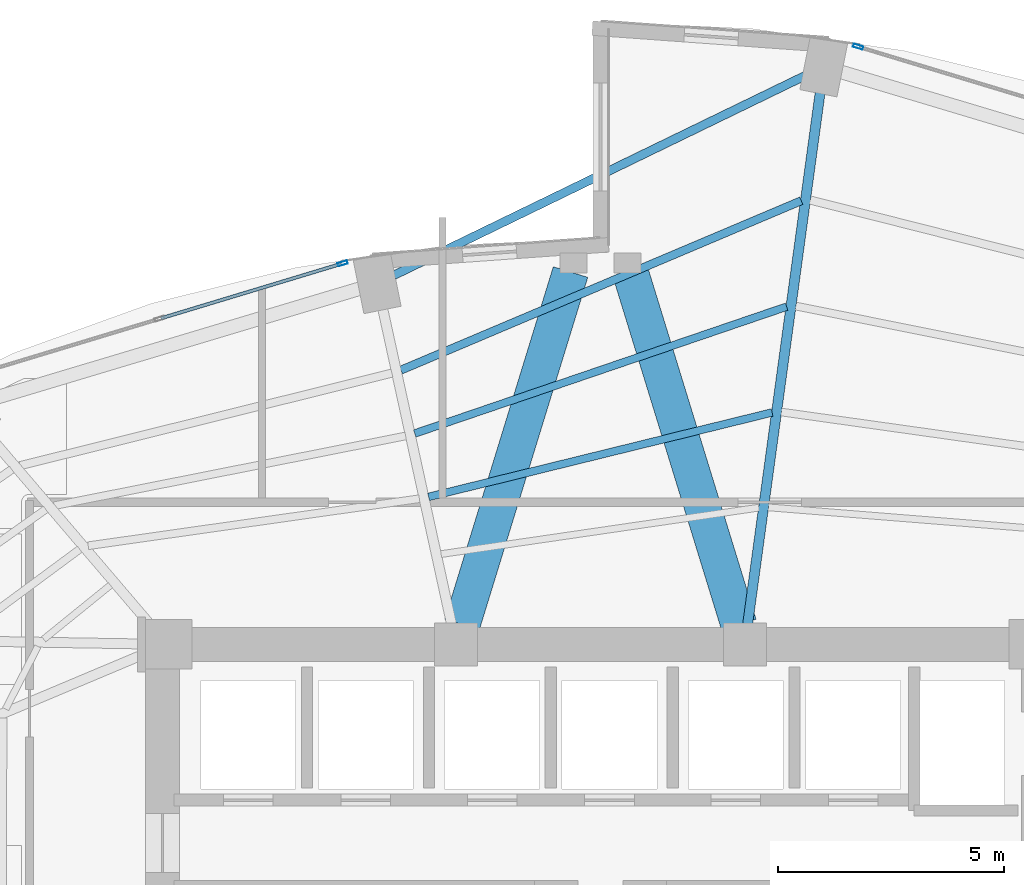
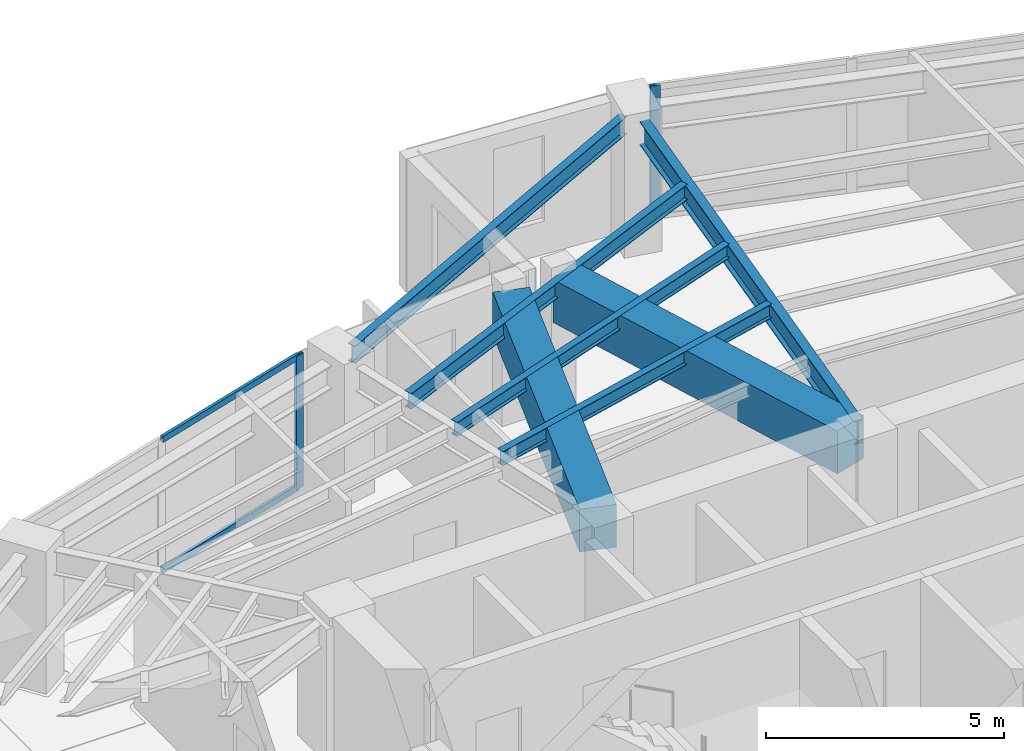
# One storey, part 15 of 23: 7 beams, 4 members, 2 elements without a shape of their own.
"""IFC4 building model written with IfcOpenShell, lengths in metres."""

from ifc_helpers import new_model, si_unit, direction, frame, origin, origin_2d, place, context, subcontext, project, spatial, rectangle, hollow_rectangle, i_section, extrude, material, layer, layer_set, material_profile, profile_set, type_object, element, aggregate, save


model = new_model("IFC4")

# Units and contexts
model_context = context("Model", 3, precision=1e-05, world=origin(), true_north=direction((0.0, 1.0)))
body_context = subcontext(model_context, "Body", "Model", "MODEL_VIEW")
ifc_project = project(units=[si_unit("LENGTHUNIT", "METRE"), si_unit("AREAUNIT", "SQUARE_METRE"), si_unit("VOLUMEUNIT", "CUBIC_METRE"), si_unit("PLANEANGLEUNIT", "RADIAN"), si_unit("MASSUNIT", "GRAM", prefix="KILO")], contexts=[model_context])

# Site, building, storey
site_placement = place(None, origin())
site = spatial("IfcSite", under=ifc_project, at=site_placement, CompositionType="ELEMENT")
building_placement = place(site_placement, origin())
building = spatial("IfcBuilding", under=site, at=building_placement, Name="Lazwardi Medical Tower", CompositionType="ELEMENT")
storey_placement = place(building_placement, frame((0.0, 0.0, 121.8720703125)))
storey = spatial("IfcBuildingStorey", under=building, at=storey_placement, Name="L31", CompositionType="ELEMENT", Elevation=121.8720703125)

# Beams
ifc_material_1 = material(Name="Concrete C70/85", Category="concrete")
ifc_material_profile_1 = material_profile(ifc_material_1, rectangle(XDim=0.800048828125, YDim=1.10009765625, at=origin_2d()), Name="RC 800x1100")
ifc_profile_set_1 = profile_set([ifc_material_profile_1], Name="Concrete C70/85")
beam_type_1 = type_object("IfcBeamType", Name="BM-CB-RC1", PredefinedType="LINTEL", material=ifc_profile_set_1)
for number, where, z_axis, x_axis, name in (
    (1, (32.935302734375, 36.039794921875, 2.8779296875), (0.294073251002, 0.955782884888, 0.0), (-0.955782884888, 0.294073251002, 0.0), "Core coupling lintel CB-01 PL1 L31"),
    (2, (39.064697265625, 36.039794921875, 2.8779296875), (-0.294073251002, 0.955782884888, 0.0), (-0.955782884888, -0.294073251002, 0.0), "Core coupling lintel CB-01 PL2 L31"),
):
    element("IfcBeam", number, at=place(storey_placement, frame(where, z_axis=z_axis, x_axis=x_axis)), inside=storey, type_object=beam_type_1, Name=name, PredefinedType="LINTEL", context=body_context, shape_type="SweptSolid", body=[
        extrude(rectangle(XDim=0.800048828125, YDim=1.10009765625, at=origin_2d()), origin(), (0.0, 0.0, 1.0), 8.1708984375),
    ])
ifc_material_2 = material(Name="Steel S355", Category="steel")
ifc_material_profile_2 = material_profile(ifc_material_2, i_section(OverallWidth=0.219970703125, OverallDepth=0.60009765625, WebThickness=0.011962890625, FlangeThickness=0.01904296875, at=origin_2d()), Name="IPE 600")
ifc_profile_set_2 = profile_set([ifc_material_profile_2], Name="Steel S355")
beam_type_2 = type_object("IfcBeamType", Name="BM-RG-W1", PredefinedType="BEAM", material=ifc_profile_set_2)
beam_1_placement = place(storey_placement, frame((40.8671875, 47.82275390625, 3.1279296875), z_axis=(-0.135147148002, -0.990825538825, 0.0), x_axis=(0.990825538825, -0.135147148002, 0.0)))
element("IfcBeam", 3, at=beam_1_placement, inside=storey, type_object=beam_type_2, Name="Radial girder RG-02 R08 L31", PredefinedType="BEAM", context=body_context, shape_type="SweptSolid", body=[
    extrude(i_section(OverallWidth=0.219970703125, OverallDepth=0.60009765625, WebThickness=0.011962890625, FlangeThickness=0.01904296875, at=origin_2d()), origin(), (0.0, 0.0, 1.0), 11.875732421875),
])
ifc_material_profile_3 = material_profile(ifc_material_2, i_section(OverallWidth=0.179931640625, OverallDepth=0.39990234375, WebThickness=0.008544921875, FlangeThickness=0.013427734375, at=origin_2d()), Name="IPE 400")
ifc_profile_set_3 = profile_set([ifc_material_profile_3], Name="Steel S355")
beam_type_3 = type_object("IfcBeamType", Name="BM-SJ-01", PredefinedType="JOIST", material=ifc_profile_set_3)
beam_2_placement = place(storey_placement, frame((40.449462890625, 45.428466796875, 3.22802734375), z_axis=(-0.920947307957, -0.389687125739, 0.0), x_axis=(0.389687125739, -0.920947307957, 0.0)))
element("IfcBeam", 4, at=beam_2_placement, inside=storey, type_object=beam_type_3, Name="Secondary joist SJ-01 R1 B08 L31", PredefinedType="JOIST", context=body_context, shape_type="SweptSolid", body=[
    extrude(i_section(OverallWidth=0.179931640625, OverallDepth=0.39990234375, WebThickness=0.008544921875, FlangeThickness=0.013427734375, at=origin_2d()), origin(), (0.0, 0.0, 1.0), 9.63134765625),
])
ifc_material_profile_4 = material_profile(ifc_material_2, i_section(OverallWidth=0.169921875, OverallDepth=0.360107421875, WebThickness=0.008056640625, FlangeThickness=0.0126953125, at=origin_2d()), Name="IPE 360")
ifc_profile_set_4 = profile_set([ifc_material_profile_4], Name="Steel S355")
beam_type_4 = type_object("IfcBeamType", Name="BM-SJ-02", PredefinedType="JOIST", material=ifc_profile_set_4)
beam_3_placement = place(storey_placement, frame((40.125732421875, 43.08203125, 3.248046875), z_axis=(-0.946467154368, -0.322800132749, 0.0), x_axis=(0.322800132749, -0.946467154368, 0.0)))
element("IfcBeam", 5, at=beam_3_placement, inside=storey, type_object=beam_type_4, Name="Secondary joist SJ-02 R2 B08 L31", PredefinedType="JOIST", context=body_context, shape_type="SweptSolid", body=[
    extrude(i_section(OverallWidth=0.169921875, OverallDepth=0.360107421875, WebThickness=0.008056640625, FlangeThickness=0.0126953125, at=origin_2d()), origin(), (0.0, 0.0, 1.0), 8.70458984375),
])
beam_4_placement = place(storey_placement, frame((39.80224609375, 40.737548828125, 3.248046875), z_axis=(-0.97107737879, -0.238764998276, 0.0), x_axis=(0.238764998276, -0.97107737879, 0.0)))
element("IfcBeam", 6, at=beam_4_placement, inside=storey, type_object=beam_type_4, Name="Secondary joist SJ-02 R3 B08 L31", PredefinedType="JOIST", context=body_context, shape_type="SweptSolid", body=[
    extrude(i_section(OverallWidth=0.169921875, OverallDepth=0.360107421875, WebThickness=0.008056640625, FlangeThickness=0.0126953125, at=origin_2d()), origin(), (0.0, 0.0, 1.0), 7.83447265625),
])
ifc_material_profile_5 = material_profile(ifc_material_2, i_section(OverallWidth=0.18994140625, OverallDepth=0.449951171875, WebThickness=0.009521484375, FlangeThickness=0.0146484375, at=origin_2d()), Name="IPE 450")
ifc_profile_set_5 = profile_set([ifc_material_profile_5], Name="Steel S355")
beam_type_5 = type_object("IfcBeamType", Name="BM-SP-01", PredefinedType="SPANDREL", material=ifc_profile_set_5)
beam_5_placement = place(storey_placement, frame((40.57666015625, 48.218505859375, 3.202880859375), z_axis=(-0.899653336227, -0.436604941125, 0.0), x_axis=(0.436604941125, -0.899653336227, 0.0)))
element("IfcBeam", 7, at=beam_5_placement, inside=storey, type_object=beam_type_5, Name="Spandrel beam SP-01 B08 L31", PredefinedType="SPANDREL", context=body_context, shape_type="SweptSolid", body=[
    extrude(i_section(OverallWidth=0.18994140625, OverallDepth=0.449951171875, WebThickness=0.009521484375, FlangeThickness=0.0146484375, at=origin_2d()), origin(), (0.0, 0.0, 1.0), 10.17431640625),
])

# Curtain wall, member
ifc_material_3 = material(Name="Anodised bronze aluminium and solar control glazing", Category="aluminium")
ifc_layer = layer(ifc_material_3, 0.195068359375)
ifc_layer_set = layer_set([ifc_layer], Name="Anodised bronze aluminium and solar control glazing")
curtain_wall_type = type_object("IfcCurtainWallType", Name="CW-SYS-03", PredefinedType="NOTDEFINED", material=ifc_layer_set)
curtain_wall_1_placement = place(storey_placement, origin())
curtain_wall_1 = element("IfcCurtainWall", 8, at=curtain_wall_1_placement, inside=storey, type_object=curtain_wall_type, Name="L31 Unitised bronze curtain wall CW-03", PredefinedType="NOTDEFINED")
ifc_material_4 = material(Name="Anodised bronze aluminium", Category="aluminium")
ifc_material_profile_6 = material_profile(ifc_material_4, hollow_rectangle(XDim=0.074951171875, YDim=0.219970703125, WallThickness=0.00390625, at=origin_2d()), Name="ALU-MULLION 220x75x4")
ifc_profile_set_6 = profile_set([ifc_material_profile_6], Name="Anodised bronze aluminium")
member_type_1 = type_object("IfcMemberType", Name="CW-MUL-01", PredefinedType="MULLION", material=ifc_profile_set_6)
member_1_placement = place(storey_placement, frame((41.710205078125, 48.840087890625, 0.0), z_axis=(0.0, 0.0, 1.0), x_axis=(-0.28937381157, -0.957216170558, 0.0)))
member_1 = element("IfcMember", 9, at=member_1_placement, type_object=member_type_1, Name="CW-03 mullion 3", PredefinedType="MULLION", context=body_context, shape_type="SweptSolid", body=[
    extrude(hollow_rectangle(XDim=0.074951171875, YDim=0.219970703125, WallThickness=0.00390625, at=origin_2d()), origin(), (0.0, 0.0, 1.0), 3.427978515625),
])
aggregate(curtain_wall_1, [member_1])

# Curtain wall, members
curtain_wall_2_placement = place(storey_placement, origin())
curtain_wall_2 = element("IfcCurtainWall", 10, at=curtain_wall_2_placement, inside=storey, type_object=curtain_wall_type, Name="L31 Unitised bronze curtain wall CW-03", PredefinedType="NOTDEFINED")
member_2_placement = place(storey_placement, frame((30.289794921875, 44.0400390625, 0.0), z_axis=(0.0, 0.0, 1.0), x_axis=(0.28937381157, -0.957216170558, 0.0)))
member_2 = element("IfcMember", 11, at=member_2_placement, type_object=member_type_1, Name="CW-03 mullion 1", PredefinedType="MULLION", context=body_context, shape_type="SweptSolid", body=[
    extrude(hollow_rectangle(XDim=0.074951171875, YDim=0.219970703125, WallThickness=0.00390625, at=origin_2d()), origin(), (0.0, 0.0, 1.0), 3.427978515625),
])
ifc_material_profile_7 = material_profile(ifc_material_4, hollow_rectangle(XDim=0.074951171875, YDim=0.159912109375, WallThickness=0.00390625, at=origin_2d()), Name="ALU-TRANSOM 160x75x4")
ifc_profile_set_7 = profile_set([ifc_material_profile_7], Name="Anodised bronze aluminium")
member_type_2 = type_object("IfcMemberType", Name="CW-TRN-01", PredefinedType="USERDEFINED", material=ifc_profile_set_7)
member_3_placement = place(storey_placement, frame((30.25390625, 44.029296875, 0.037353515625), z_axis=(-0.957220865985, -0.289358279168, 0.0), x_axis=(0.289358279168, -0.957220865985, 0.0)))
member_3 = element("IfcMember", 12, at=member_3_placement, type_object=member_type_2, Name="CW-03 transom 1.1", ObjectType="TRANSOM", PredefinedType="USERDEFINED", context=body_context, shape_type="SweptSolid", body=[
    extrude(hollow_rectangle(XDim=0.074951171875, YDim=0.159912109375, WallThickness=0.00390625, at=origin_2d()), origin(), (0.0, 0.0, 1.0), 4.16552734375),
])
member_4_placement = place(storey_placement, frame((30.25390625, 44.029296875, 3.390380859375), z_axis=(-0.957220865985, -0.289358279168, 0.0), x_axis=(0.289358279168, -0.957220865985, 0.0)))
member_4 = element("IfcMember", 13, at=member_4_placement, type_object=member_type_2, Name="CW-03 transom 1.2", ObjectType="TRANSOM", PredefinedType="USERDEFINED", context=body_context, shape_type="SweptSolid", body=[
    extrude(hollow_rectangle(XDim=0.074951171875, YDim=0.159912109375, WallThickness=0.00390625, at=origin_2d()), origin(), (0.0, 0.0, 1.0), 4.16552734375),
])
aggregate(curtain_wall_2, [member_2, member_3, member_4])

save(model, "model.ifc")
